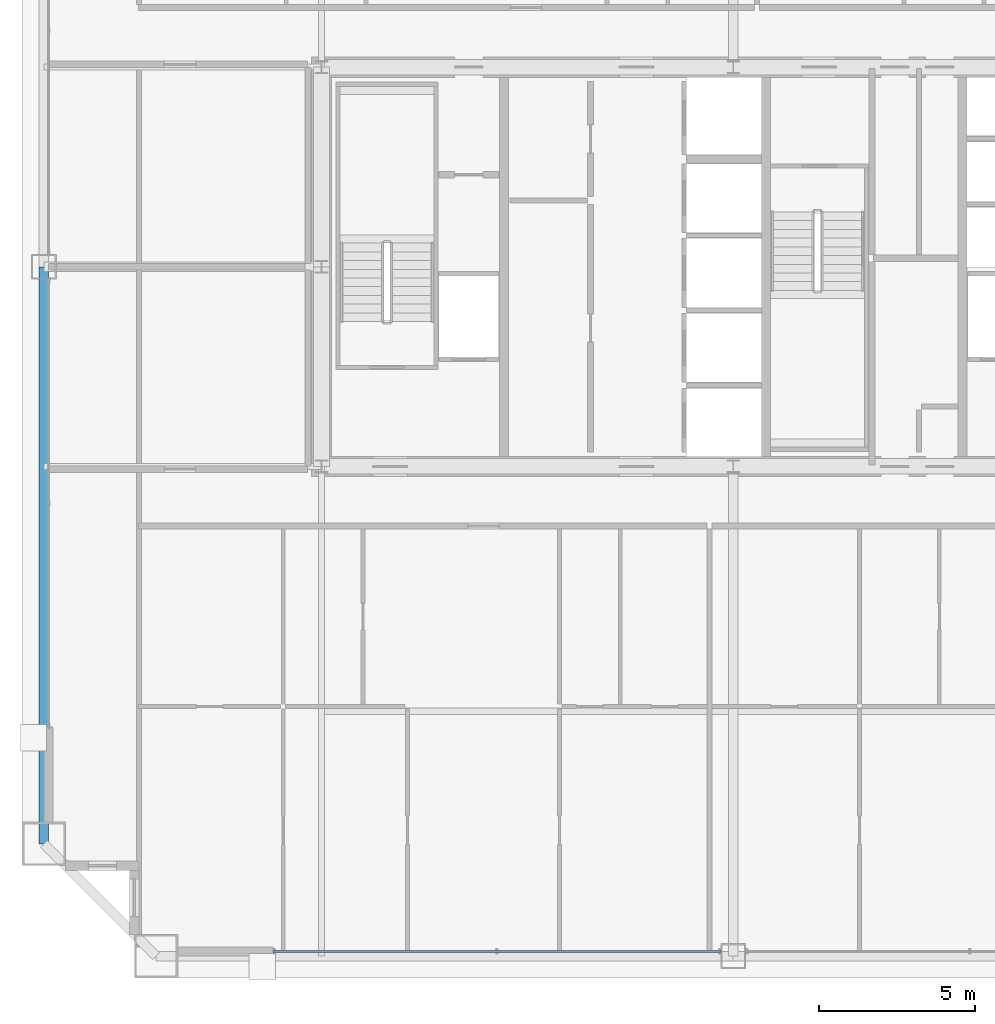
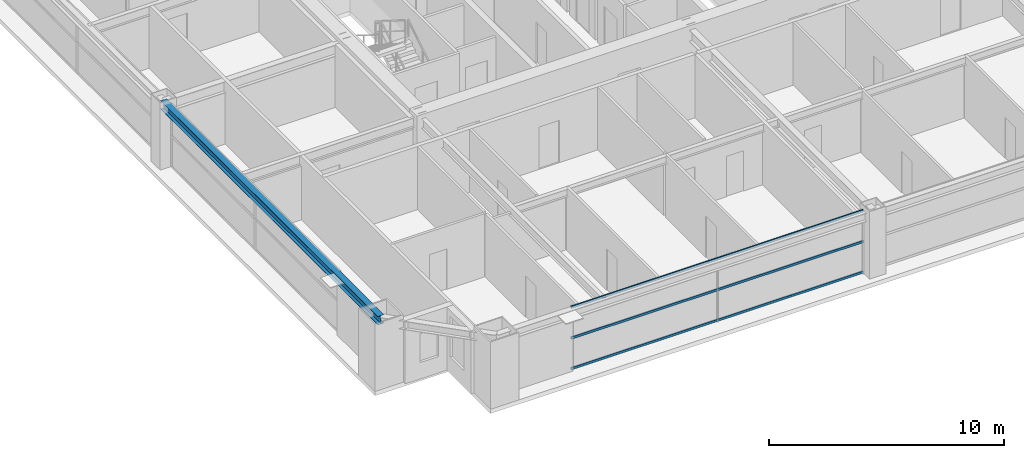
# One storey, part 7 of 38: 3 members, 1 beam, 1 element without a shape of its own.
"""IFC4 building model written with IfcOpenShell, lengths in metres."""

from ifc_helpers import new_model, si_unit, direction, frame, origin, origin_2d, place, context, subcontext, project, spatial, hollow_rectangle, i_section, extrude, source, transform, mapped, material, layer, layer_set, material_profile, profile_set, type_object, element, aggregate, save


model = new_model("IFC4")

# Units and contexts
model_context = context("Model", 3, precision=1e-05, world=origin(), true_north=direction((0.0, 1.0)))
body_context = subcontext(model_context, "Body", "Model", "MODEL_VIEW")
ifc_project = project(units=[si_unit("LENGTHUNIT", "METRE"), si_unit("AREAUNIT", "SQUARE_METRE"), si_unit("VOLUMEUNIT", "CUBIC_METRE"), si_unit("PLANEANGLEUNIT", "RADIAN"), si_unit("MASSUNIT", "GRAM", prefix="KILO"), si_unit("THERMODYNAMICTEMPERATUREUNIT", "KELVIN"), si_unit("POWERUNIT", "WATT")], contexts=[model_context])

# Site, building, storey
site_placement = place(None, origin())
site = spatial("IfcSite", under=ifc_project, at=site_placement, CompositionType="ELEMENT")
building_placement = place(site_placement, origin())
building = spatial("IfcBuilding", under=site, at=building_placement, Name="Yuzanri Waterfront Tower", CompositionType="ELEMENT")
storey_placement = place(building_placement, frame((0.0, 0.0, 195.0)))
storey = spatial("IfcBuildingStorey", under=building, at=storey_placement, Name="L51", CompositionType="ELEMENT", Elevation=195.0)

# Beam
ifc_material_1 = material(Name="Steel Q355B", Category="steel")
ifc_material_profile_1 = material_profile(ifc_material_1, i_section(OverallWidth=0.300048828125, OverallDepth=0.43994140625, WebThickness=0.010986328125, FlangeThickness=0.01806640625, at=origin_2d()), Name="HM 440x300x11x18")
ifc_profile_set_1 = profile_set([ifc_material_profile_1], Name="Steel Q355B")
beam_type = type_object("IfcBeamType", Name="Perimeter Spandrel Q355B HM 440x300", PredefinedType="SPANDREL", material=ifc_profile_set_1)
shared_shape_1 = source(origin(), body_context, "Body", "SweptSolid", [
    extrude(i_section(OverallWidth=0.300048828125, OverallDepth=0.43994140625, WebThickness=0.010986328125, FlangeThickness=0.01806640625, at=origin_2d()), origin(), (0.0, 0.0, 1.0), 18.5),
])
beam_placement = place(storey_placement, frame((14.89990234375, 25.800048828125, 3.06005859375), z_axis=(0.0, -1.0, 0.0), x_axis=(1.0, 0.0, 0.0)))
element("IfcBeam", 1, at=beam_placement, inside=storey, type_object=beam_type, Name="L51 Perimeter Spandrel W2-W1", PredefinedType="SPANDREL", context=body_context, shape_type="MappedRepresentation", body=[
    mapped(shared_shape_1, transform((0.0, 0.0, 0.0), scale=1.0)),
])

# Curtain wall, members
ifc_material_2 = material(Name="Anodized Architectural Bronze", Category="metal")
ifc_layer = layer(ifc_material_2, 0.159912109375)
ifc_layer_set = layer_set([ifc_layer], Name="Anodized Architectural Bronze")
curtain_wall_type = type_object("IfcCurtainWallType", Name="Anodized Bronze Mid-Rise Residential Acoustic Unitized Curtain Wall 7200", PredefinedType="NOTDEFINED", material=ifc_layer_set)
curtain_wall_placement = place(storey_placement, origin())
curtain_wall = element("IfcCurtainWall", 2, at=curtain_wall_placement, inside=storey, type_object=curtain_wall_type, Name="L51 Curtain Wall CW-L51-SL", PredefinedType="NOTDEFINED")
ifc_material_3 = material(Name="Anodized Architectural Bronze", Category="metal")
ifc_material_profile_2 = material_profile(ifc_material_3, hollow_rectangle(XDim=0.06494140625, YDim=0.1201171875, WallThickness=0.00341796875, at=origin_2d()), Name="CWT 65x120")
ifc_profile_set_2 = profile_set([ifc_material_profile_2], Name="Anodized Architectural Bronze")
member_type = type_object("IfcMemberType", Name="Anodized Bronze Secondary Curtain-Wall Transom 65x120", PredefinedType="USERDEFINED", material=ifc_profile_set_2)
shared_shape_2 = source(origin(), body_context, "Body", "SweptSolid", [
    extrude(hollow_rectangle(XDim=0.06494140625, YDim=0.1201171875, WallThickness=0.00341796875, at=origin_2d()), origin(), (0.0, 0.0, 1.0), 14.35009765625),
])
member_1_placement = place(storey_placement, frame((22.25, 3.85009765625, 0.050048828125), z_axis=(1.0, 0.0, 0.0), x_axis=(0.0, 1.0, 0.0)))
member_1 = element("IfcMember", 3, at=member_1_placement, type_object=member_type, Name="CW-L51-SL Transom 1", ObjectType="TRANSOM", PredefinedType="USERDEFINED", context=body_context, shape_type="MappedRepresentation", body=[
    mapped(shared_shape_2, transform((0.0, 0.0, 0.0), scale=1.0)),
])
member_2_placement = place(storey_placement, frame((22.25, 3.85009765625, 1.639892578125), z_axis=(1.0, 0.0, 0.0), x_axis=(0.0, 1.0, 0.0)))
member_2 = element("IfcMember", 4, at=member_2_placement, type_object=member_type, Name="CW-L51-SL Transom 2", ObjectType="TRANSOM", PredefinedType="USERDEFINED", context=body_context, shape_type="MappedRepresentation", body=[
    mapped(shared_shape_2, transform((0.0, 0.0, 0.0), scale=1.0)),
])
member_3_placement = place(storey_placement, frame((22.25, 3.85009765625, 3.22998046875), z_axis=(1.0, 0.0, 0.0), x_axis=(0.0, 1.0, 0.0)))
member_3 = element("IfcMember", 5, at=member_3_placement, type_object=member_type, Name="CW-L51-SL Transom 3", ObjectType="TRANSOM", PredefinedType="USERDEFINED", context=body_context, shape_type="MappedRepresentation", body=[
    mapped(shared_shape_2, transform((0.0, 0.0, 0.0), scale=1.0)),
])
aggregate(curtain_wall, [member_1, member_2, member_3])

save(model, "model.ifc")
